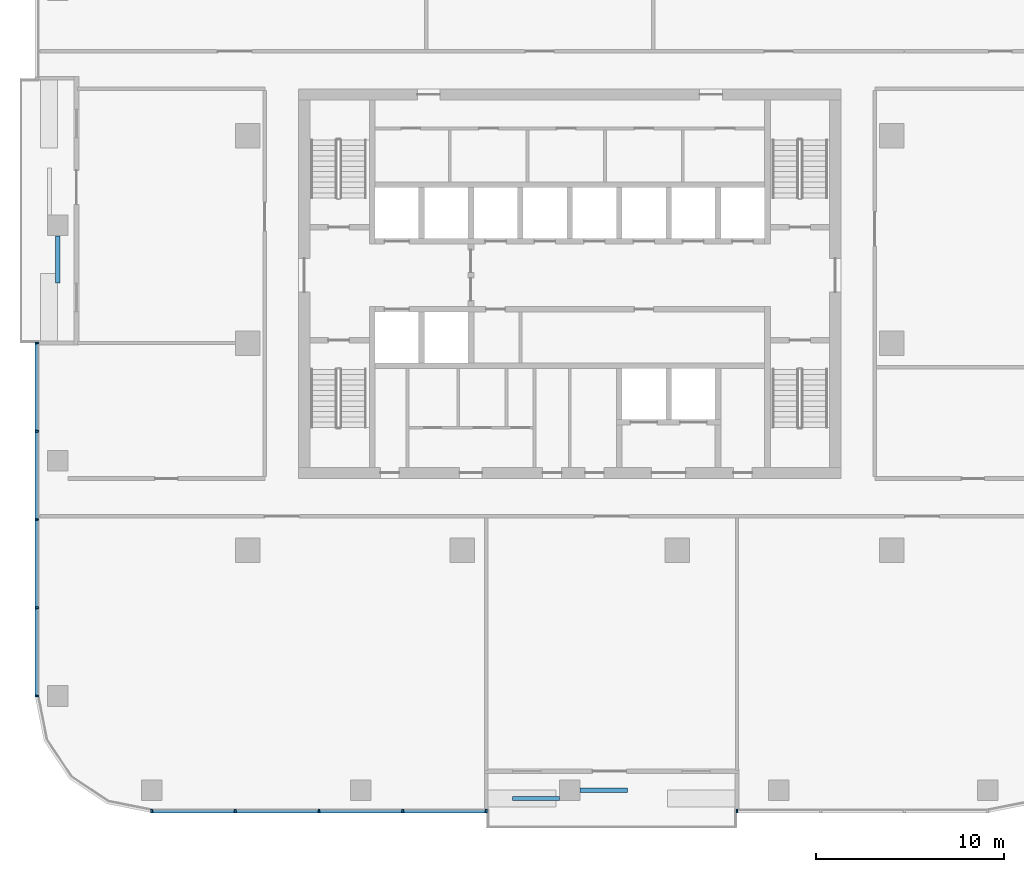
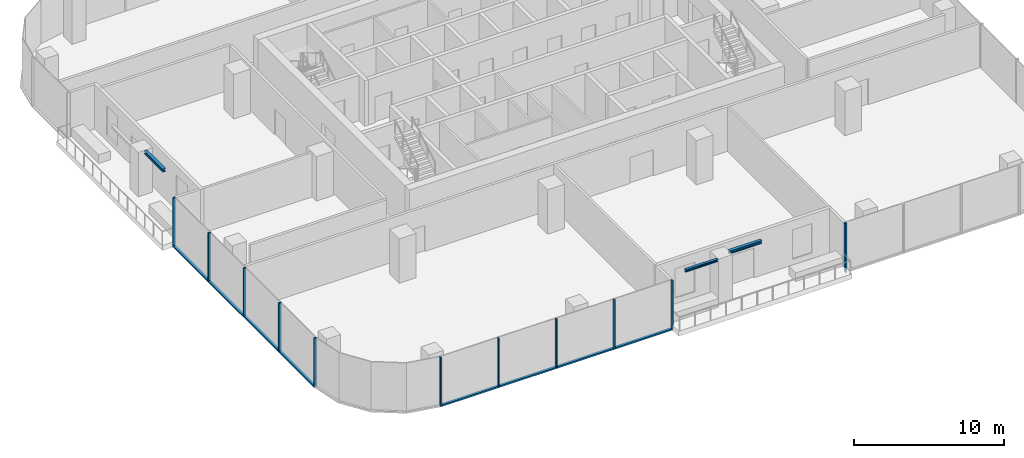
# One storey, part 2 of 14: 19 members, 3 beams, 3 elements without a shape of their own.
"""IFC4 building model written with IfcOpenShell, lengths in metres."""

from ifc_helpers import new_model, si_unit, direction, frame, origin, origin_2d, place, context, subcontext, project, spatial, rectangle, i_section, extrude, material, material_profile, profile_set, type_object, element, aggregate, save


model = new_model("IFC4")

# Units and contexts
model_context = context("Model", 3, precision=1e-05, world=origin(), true_north=direction((0.0, 1.0)))
body_context = subcontext(model_context, "Body", "Model", "MODEL_VIEW")
ifc_project = project(units=[si_unit("LENGTHUNIT", "METRE"), si_unit("AREAUNIT", "SQUARE_METRE"), si_unit("VOLUMEUNIT", "CUBIC_METRE"), si_unit("PLANEANGLEUNIT", "RADIAN"), si_unit("MASSUNIT", "GRAM", prefix="KILO")], contexts=[model_context])

# Site, building, storey
site_placement = place(None, origin())
site = spatial("IfcSite", under=ifc_project, at=site_placement, CompositionType="ELEMENT")
building_placement = place(site_placement, origin())
building = spatial("IfcBuilding", under=site, at=building_placement, Name="Mopane Tessera Tower", CompositionType="ELEMENT")
storey_placement = place(building_placement, frame((0.0, 0.0, 243.0)))
storey = spatial("IfcBuildingStorey", under=building, at=storey_placement, Name="L52", CompositionType="ELEMENT", Elevation=243.0)

# Curtain wall, members
ifc_material_1 = material(Name="Aluminium frame", Category="aluminium")
curtain_wall_type = type_object("IfcCurtainWallType", Name="Unitised curtain wall", PredefinedType="NOTDEFINED", material=ifc_material_1)
curtain_wall_1_placement = place(storey_placement, origin())
curtain_wall_1 = element("IfcCurtainWall", 1, at=curtain_wall_1_placement, inside=storey, type_object=curtain_wall_type, Name="e:cw:L52:S:0", PredefinedType="NOTDEFINED")
ifc_material_2 = material(Name="Aluminium frame", Category="aluminium")
ifc_material_profile_1 = material_profile(ifc_material_2, rectangle(XDim=0.10009765625, YDim=0.199951171875, at=origin_2d()))
ifc_profile_set_1 = profile_set([ifc_material_profile_1], Name="Aluminium frame")
member_type_1 = type_object("IfcMemberType", Name="Aluminium mullion 100 x 200", PredefinedType="MULLION", material=ifc_profile_set_1)
member_1_placement = place(storey_placement, frame((-22.199951171875, -24.85009765625, -0.39990234375), z_axis=(0.0, 0.0, 1.0), x_axis=(1.0, 0.0, 0.0)))
member_1 = element("IfcMember", 2, at=member_1_placement, type_object=member_type_1, Name="e:cw:L52:S:0:mu0", PredefinedType="MULLION", context=body_context, shape_type="SweptSolid", body=[
    extrude(rectangle(XDim=0.10009765625, YDim=0.199951171875, at=origin_2d()), origin(), (0.0, 0.0, 1.0), 4.0),
])
member_2_placement = place(storey_placement, frame((-17.760009765625, -24.85009765625, -0.39990234375), z_axis=(0.0, 0.0, 1.0), x_axis=(1.0, 0.0, 0.0)))
member_2 = element("IfcMember", 3, at=member_2_placement, type_object=member_type_1, Name="e:cw:L52:S:0:mu1", PredefinedType="MULLION", context=body_context, shape_type="SweptSolid", body=[
    extrude(rectangle(XDim=0.10009765625, YDim=0.199951171875, at=origin_2d()), origin(), (0.0, 0.0, 1.0), 4.0),
])
member_3_placement = place(storey_placement, frame((-13.320068359375, -24.85009765625, -0.39990234375), z_axis=(0.0, 0.0, 1.0), x_axis=(1.0, 0.0, 0.0)))
member_3 = element("IfcMember", 4, at=member_3_placement, type_object=member_type_1, Name="e:cw:L52:S:0:mu2", PredefinedType="MULLION", context=body_context, shape_type="SweptSolid", body=[
    extrude(rectangle(XDim=0.10009765625, YDim=0.199951171875, at=origin_2d()), origin(), (0.0, 0.0, 1.0), 4.0),
])
member_4_placement = place(storey_placement, frame((-8.8798828125, -24.85009765625, -0.39990234375), z_axis=(0.0, 0.0, 1.0), x_axis=(1.0, 0.0, 0.0)))
member_4 = element("IfcMember", 5, at=member_4_placement, type_object=member_type_1, Name="e:cw:L52:S:0:mu3", PredefinedType="MULLION", context=body_context, shape_type="SweptSolid", body=[
    extrude(rectangle(XDim=0.10009765625, YDim=0.199951171875, at=origin_2d()), origin(), (0.0, 0.0, 1.0), 4.0),
])
member_5_placement = place(storey_placement, frame((-4.43994140625, -24.85009765625, -0.39990234375), z_axis=(0.0, 0.0, 1.0), x_axis=(1.0, 0.0, 0.0)))
member_5 = element("IfcMember", 6, at=member_5_placement, type_object=member_type_1, Name="e:cw:L52:S:0:mu4", PredefinedType="MULLION", context=body_context, shape_type="SweptSolid", body=[
    extrude(rectangle(XDim=0.10009765625, YDim=0.199951171875, at=origin_2d()), origin(), (0.0, 0.0, 1.0), 4.0),
])

# Curtain wall, member
curtain_wall_2_placement = place(storey_placement, origin())
curtain_wall_2 = element("IfcCurtainWall", 7, at=curtain_wall_2_placement, inside=storey, type_object=curtain_wall_type, Name="e:cw:L52:S:7", PredefinedType="NOTDEFINED")
member_6_placement = place(storey_placement, frame((8.8798828125, -24.85009765625, -0.39990234375), z_axis=(0.0, 0.0, 1.0), x_axis=(1.0, 0.0, 0.0)))
member_6 = element("IfcMember", 8, at=member_6_placement, type_object=member_type_1, Name="e:cw:L52:S:7:mu7", PredefinedType="MULLION", context=body_context, shape_type="SweptSolid", body=[
    extrude(rectangle(XDim=0.10009765625, YDim=0.199951171875, at=origin_2d()), origin(), (0.0, 0.0, 1.0), 4.0),
])
aggregate(curtain_wall_2, [member_6])

# Curtain wall, members
curtain_wall_3_placement = place(storey_placement, origin())
curtain_wall_3 = element("IfcCurtainWall", 9, at=curtain_wall_3_placement, inside=storey, type_object=curtain_wall_type, Name="e:cw:L52:W:4", PredefinedType="NOTDEFINED")
member_7_placement = place(storey_placement, frame((-28.300048828125, 0.0, -0.39990234375), z_axis=(0.0, 0.0, 1.0), x_axis=(0.0, -1.0, 0.0)))
member_7 = element("IfcMember", 10, at=member_7_placement, type_object=member_type_1, Name="e:cw:L52:W:4:mu4", PredefinedType="MULLION", context=body_context, shape_type="SweptSolid", body=[
    extrude(rectangle(XDim=0.10009765625, YDim=0.199951171875, at=origin_2d()), origin(), (0.0, 0.0, 1.0), 4.0),
])
member_8_placement = place(storey_placement, frame((-28.300048828125, -4.6875, -0.39990234375), z_axis=(0.0, 0.0, 1.0), x_axis=(0.0, -1.0, 0.0)))
member_8 = element("IfcMember", 11, at=member_8_placement, type_object=member_type_1, Name="e:cw:L52:W:4:mu5", PredefinedType="MULLION", context=body_context, shape_type="SweptSolid", body=[
    extrude(rectangle(XDim=0.10009765625, YDim=0.199951171875, at=origin_2d()), origin(), (0.0, 0.0, 1.0), 4.0),
])
member_9_placement = place(storey_placement, frame((-28.300048828125, -9.375, -0.39990234375), z_axis=(0.0, 0.0, 1.0), x_axis=(0.0, -1.0, 0.0)))
member_9 = element("IfcMember", 12, at=member_9_placement, type_object=member_type_1, Name="e:cw:L52:W:4:mu6", PredefinedType="MULLION", context=body_context, shape_type="SweptSolid", body=[
    extrude(rectangle(XDim=0.10009765625, YDim=0.199951171875, at=origin_2d()), origin(), (0.0, 0.0, 1.0), 4.0),
])
member_10_placement = place(storey_placement, frame((-28.300048828125, -14.0625, -0.39990234375), z_axis=(0.0, 0.0, 1.0), x_axis=(0.0, -1.0, 0.0)))
member_10 = element("IfcMember", 13, at=member_10_placement, type_object=member_type_1, Name="e:cw:L52:W:4:mu7", PredefinedType="MULLION", context=body_context, shape_type="SweptSolid", body=[
    extrude(rectangle(XDim=0.10009765625, YDim=0.199951171875, at=origin_2d()), origin(), (0.0, 0.0, 1.0), 4.0),
])
member_11_placement = place(storey_placement, frame((-28.300048828125, -18.75, -0.39990234375), z_axis=(0.0, 0.0, 1.0), x_axis=(0.0, -1.0, 0.0)))
member_11 = element("IfcMember", 14, at=member_11_placement, type_object=member_type_1, Name="e:cw:L52:W:4:mu8", PredefinedType="MULLION", context=body_context, shape_type="SweptSolid", body=[
    extrude(rectangle(XDim=0.10009765625, YDim=0.199951171875, at=origin_2d()), origin(), (0.0, 0.0, 1.0), 4.0),
])

# Member
ifc_material_3 = material(Name="Aluminium frame", Category="aluminium")
ifc_material_profile_2 = material_profile(ifc_material_3, rectangle(XDim=0.199951171875, YDim=0.1201171875, at=origin_2d()))
ifc_profile_set_2 = profile_set([ifc_material_profile_2], Name="Aluminium frame")
member_type_2 = type_object("IfcMemberType", Name="Aluminium transom 200 x 120", PredefinedType="USERDEFINED", material=ifc_profile_set_2)
member_12_placement = place(storey_placement, frame((-22.14990234375, -24.85009765625, -0.340087890625), z_axis=(1.0, 0.0, 0.0), x_axis=(0.0, 1.0, 0.0)))
member_12 = element("IfcMember", 15, at=member_12_placement, type_object=member_type_2, Name="e:cw:L52:S:0:tr0", ObjectType="TRANSOM", PredefinedType="USERDEFINED", context=body_context, shape_type="SweptSolid", body=[
    extrude(rectangle(XDim=0.199951171875, YDim=0.1201171875, at=origin_2d()), origin(), (0.0, 0.0, 1.0), 4.33984375),
])

member_13_placement = place(storey_placement, frame((-17.7099609375, -24.85009765625, -0.340087890625), z_axis=(1.0, 0.0, 0.0), x_axis=(0.0, 1.0, 0.0)))
member_13 = element("IfcMember", 16, at=member_13_placement, type_object=member_type_2, Name="e:cw:L52:S:0:tr1", ObjectType="TRANSOM", PredefinedType="USERDEFINED", context=body_context, shape_type="SweptSolid", body=[
    extrude(rectangle(XDim=0.199951171875, YDim=0.1201171875, at=origin_2d()), origin(), (0.0, 0.0, 1.0), 4.33984375),
])

member_14_placement = place(storey_placement, frame((-13.27001953125, -24.85009765625, -0.340087890625), z_axis=(1.0, 0.0, 0.0), x_axis=(0.0, 1.0, 0.0)))
member_14 = element("IfcMember", 17, at=member_14_placement, type_object=member_type_2, Name="e:cw:L52:S:0:tr2", ObjectType="TRANSOM", PredefinedType="USERDEFINED", context=body_context, shape_type="SweptSolid", body=[
    extrude(rectangle(XDim=0.199951171875, YDim=0.1201171875, at=origin_2d()), origin(), (0.0, 0.0, 1.0), 4.340087890625),
])

member_15_placement = place(storey_placement, frame((-8.830078125, -24.85009765625, -0.340087890625), z_axis=(1.0, 0.0, 0.0), x_axis=(0.0, 1.0, 0.0)))
member_15 = element("IfcMember", 18, at=member_15_placement, type_object=member_type_2, Name="e:cw:L52:S:0:tr3", ObjectType="TRANSOM", PredefinedType="USERDEFINED", context=body_context, shape_type="SweptSolid", body=[
    extrude(rectangle(XDim=0.199951171875, YDim=0.1201171875, at=origin_2d()), origin(), (0.0, 0.0, 1.0), 4.340087890625),
])

aggregate(curtain_wall_1, [member_1, member_2, member_3, member_4, member_5, member_12, member_13, member_14, member_15])

member_16_placement = place(storey_placement, frame((-28.300048828125, -0.050048828125, -0.340087890625), z_axis=(0.0, -1.0, 0.0), x_axis=(1.0, 0.0, 0.0)))
member_16 = element("IfcMember", 19, at=member_16_placement, type_object=member_type_2, Name="e:cw:L52:W:4:tr4", ObjectType="TRANSOM", PredefinedType="USERDEFINED", context=body_context, shape_type="SweptSolid", body=[
    extrude(rectangle(XDim=0.199951171875, YDim=0.1201171875, at=origin_2d()), origin(), (0.0, 0.0, 1.0), 4.58740234375),
])

member_17_placement = place(storey_placement, frame((-28.300048828125, -4.737548828125, -0.340087890625), z_axis=(0.0, -1.0, 0.0), x_axis=(1.0, 0.0, 0.0)))
member_17 = element("IfcMember", 20, at=member_17_placement, type_object=member_type_2, Name="e:cw:L52:W:4:tr5", ObjectType="TRANSOM", PredefinedType="USERDEFINED", context=body_context, shape_type="SweptSolid", body=[
    extrude(rectangle(XDim=0.199951171875, YDim=0.1201171875, at=origin_2d()), origin(), (0.0, 0.0, 1.0), 4.58740234375),
])

member_18_placement = place(storey_placement, frame((-28.300048828125, -9.425048828125, -0.340087890625), z_axis=(0.0, -1.0, 0.0), x_axis=(1.0, 0.0, 0.0)))
member_18 = element("IfcMember", 21, at=member_18_placement, type_object=member_type_2, Name="e:cw:L52:W:4:tr6", ObjectType="TRANSOM", PredefinedType="USERDEFINED", context=body_context, shape_type="SweptSolid", body=[
    extrude(rectangle(XDim=0.199951171875, YDim=0.1201171875, at=origin_2d()), origin(), (0.0, 0.0, 1.0), 4.58740234375),
])

member_19_placement = place(storey_placement, frame((-28.300048828125, -14.112548828125, -0.340087890625), z_axis=(0.0, -1.0, 0.0), x_axis=(1.0, 0.0, 0.0)))
member_19 = element("IfcMember", 22, at=member_19_placement, type_object=member_type_2, Name="e:cw:L52:W:4:tr7", ObjectType="TRANSOM", PredefinedType="USERDEFINED", context=body_context, shape_type="SweptSolid", body=[
    extrude(rectangle(XDim=0.199951171875, YDim=0.1201171875, at=origin_2d()), origin(), (0.0, 0.0, 1.0), 4.58740234375),
])

aggregate(curtain_wall_3, [member_7, member_8, member_9, member_10, member_11, member_16, member_17, member_18, member_19])

# Beams
ifc_material_4 = material(Name="Structural steel S460", Category="steel")
ifc_material_profile_3 = material_profile(ifc_material_4, i_section(OverallWidth=0.239990234375, OverallDepth=0.239990234375, WebThickness=0.010009765625, FlangeThickness=0.01708984375, FilletRadius=0.02099609375, at=origin_2d()))
ifc_profile_set_3 = profile_set([ifc_material_profile_3], Name="Structural steel S460")
beam_type_1 = type_object("IfcBeamType", Name="Terrace spandrel beam HE 240 B", PredefinedType="SPANDREL", material=ifc_profile_set_3)
for number, where, z_axis, x_axis, name in (
    (23, (0.552978515625, -23.75, 3.47998046875), (1.0, 0.0, 0.0), (0.0, 1.0, 0.0), "Terrace spandrel beam N1 L53"),
    (24, (-27.199951171875, 5.697021484375, 3.47998046875), (0.0, -1.0, 0.0), (1.0, 0.0, 0.0), "Terrace spandrel beam N3 L53"),
):
    element("IfcBeam", number, at=place(storey_placement, frame(where, z_axis=z_axis, x_axis=x_axis)), inside=storey, type_object=beam_type_1, Name=name, PredefinedType="SPANDREL", context=body_context, shape_type="SweptSolid", body=[
        extrude(i_section(OverallWidth=0.239990234375, OverallDepth=0.239990234375, WebThickness=0.010009765625, FlangeThickness=0.01708984375, FilletRadius=0.02099609375, at=origin_2d()), origin(), (0.0, 0.0, 1.0), 2.5),
    ])
ifc_material_5 = material(Name="Structural steel S460", Category="steel")
ifc_material_profile_4 = material_profile(ifc_material_5, i_section(OverallWidth=0.199951171875, OverallDepth=0.199951171875, WebThickness=0.009033203125, FlangeThickness=0.014892578125, FilletRadius=0.01806640625, at=origin_2d()))
ifc_profile_set_4 = profile_set([ifc_material_profile_4], Name="Structural steel S460")
beam_type_2 = type_object("IfcBeamType", Name="Terrace trimmer beam HE 200 B", PredefinedType="BEAM", material=ifc_profile_set_4)
beam_placement = place(storey_placement, frame((-0.552978515625, -24.18994140625, 3.5), z_axis=(-1.0, 0.0, 0.0), x_axis=(0.0, -1.0, 0.0)))
element("IfcBeam", 25, at=beam_placement, inside=storey, type_object=beam_type_2, Name="Terrace trimmer beam N1 L53", PredefinedType="BEAM", context=body_context, shape_type="SweptSolid", body=[
    extrude(i_section(OverallWidth=0.199951171875, OverallDepth=0.199951171875, WebThickness=0.009033203125, FlangeThickness=0.014892578125, FilletRadius=0.01806640625, at=origin_2d()), origin(), (0.0, 0.0, 1.0), 2.5),
])

save(model, "model.ifc")
